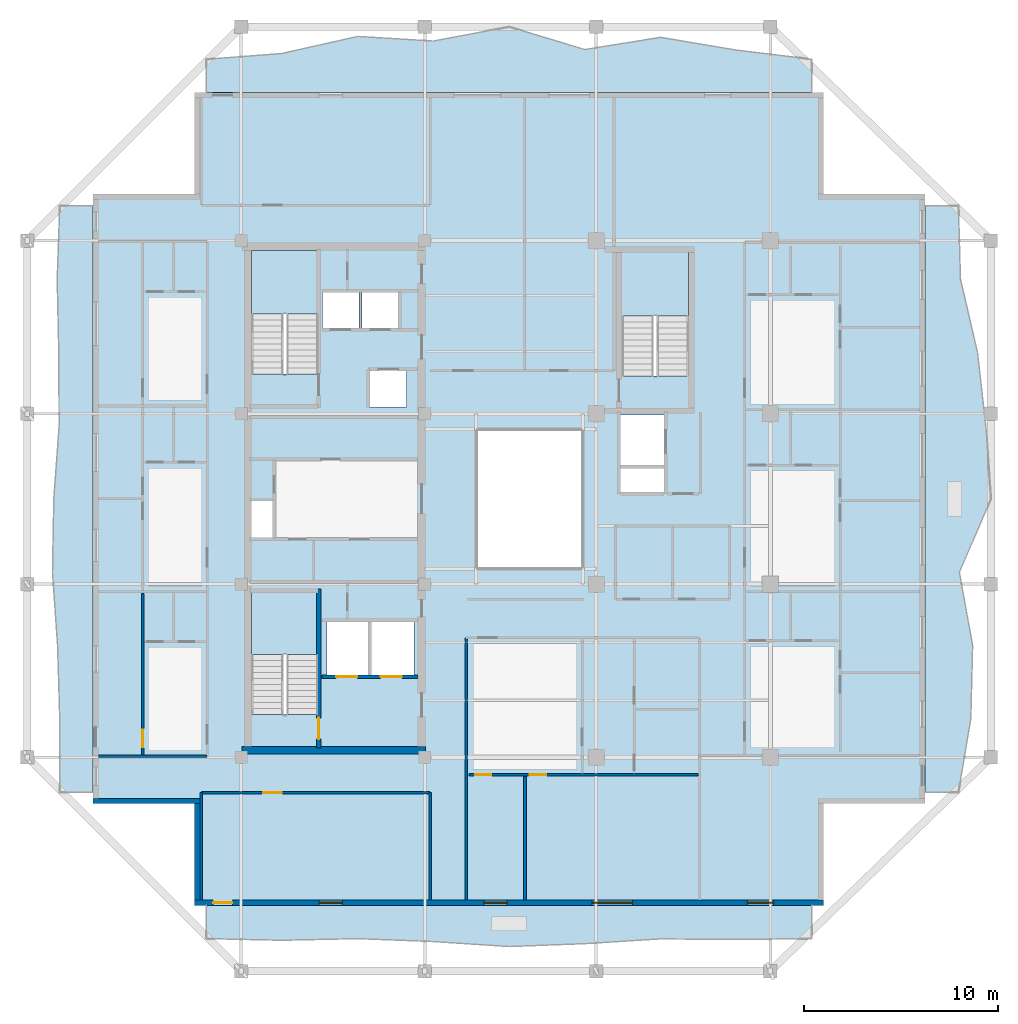
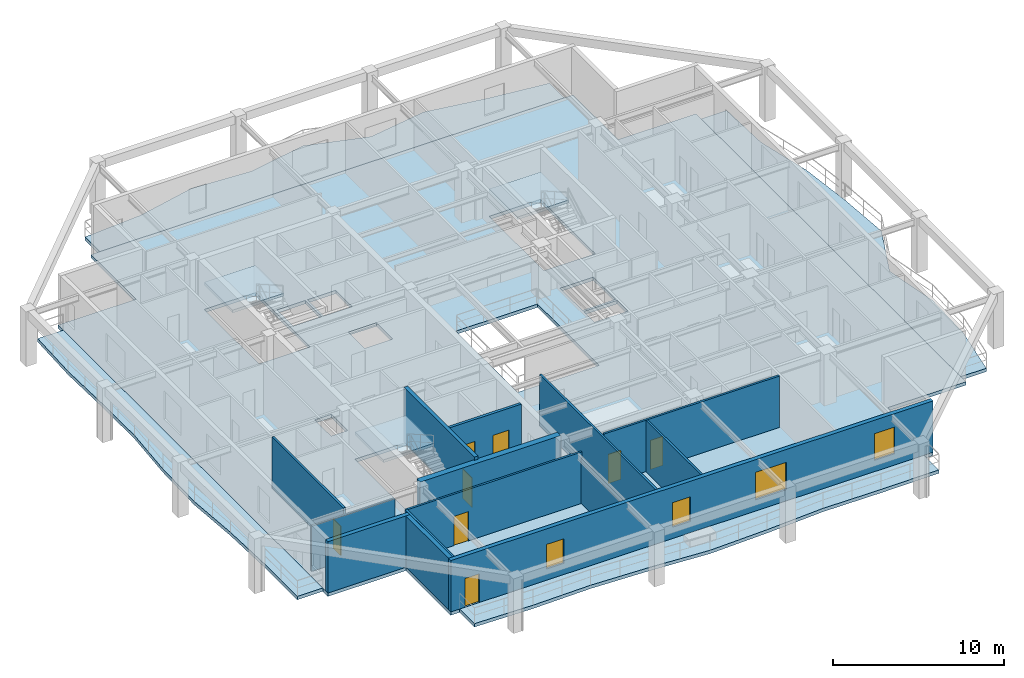
# One storey, part 2 of 13: 14 walls, 8 doors, 8 slabs, 4 windows, 12 openings, 3 elements without a shape of their own.
"""IFC4 building model written with IfcOpenShell, lengths in metres."""

from ifc_helpers import new_model, si_unit, direction, frame, frame_2d, origin, place, context, subcontext, project, spatial, polyline, rectangle, outline, extrude, material, layer, layer_set, type_object, element, fill, aggregate, save


model = new_model("IFC4")

# Units and contexts
model_context = context("Model", 3, precision=1e-05, world=origin(), true_north=direction((0.0, 1.0)))
body_context = subcontext(model_context, "Body", "Model", "MODEL_VIEW")
ifc_project = project(units=[si_unit("LENGTHUNIT", "METRE"), si_unit("AREAUNIT", "SQUARE_METRE"), si_unit("VOLUMEUNIT", "CUBIC_METRE"), si_unit("PLANEANGLEUNIT", "RADIAN"), si_unit("MASSUNIT", "GRAM", prefix="KILO")], contexts=[model_context])

# Site, building, storey
site_placement = place(None, origin())
site = spatial("IfcSite", under=ifc_project, at=site_placement, CompositionType="ELEMENT")
building_placement = place(site_placement, origin())
building = spatial("IfcBuilding", under=site, at=building_placement, Name="Kundavana Baori Tower", CompositionType="ELEMENT")
storey_placement = place(building_placement, frame((0.0, 0.0, 229.699951171875)))
storey = spatial("IfcBuildingStorey", under=building, at=storey_placement, Name="L56", CompositionType="ELEMENT", Elevation=229.699951171875)

# Slab
ifc_material_1 = material(Name="Concrete C40/50", Category="concrete")
ifc_layer_1 = layer(ifc_material_1, 0.239990234375, Name="SLB-FLR-240")
ifc_layer_set_1 = layer_set([ifc_layer_1], Name="Concrete C40/50")
slab_type_1 = type_object("IfcSlabType", Name="SLB-FLR-240", PredefinedType="FLOOR", material=ifc_layer_set_1)
slab_1_placement = place(storey_placement, frame((0.0, 0.0, -0.239990234375)))
element("IfcSlab", 1, at=slab_1_placement, inside=storey, type_object=slab_type_1, Name="L56 Structural Floor Slab", PredefinedType="FLOOR", context=body_context, shape_type="SweptSolid", body=[
    extrude(outline(polyline([(13.050048828125, 7.60009765625), (45.550048828125, 7.60009765625), (45.550048828125, 12.85009765625), (50.800048828125, 12.85009765625), (50.800048828125, 44.35009765625), (45.550048828125, 44.35009765625), (45.550048828125, 49.60009765625), (13.050048828125, 49.60009765625), (13.050048828125, 44.35009765625), (7.800048828125, 44.35009765625), (7.800048828125, 12.85009765625), (13.050048828125, 12.85009765625), (13.050048828125, 7.60009765625)]), holes=[polyline([(19.43994140625, 17.4619140625), (19.43994140625, 23.85009765625), (15.97998046875, 23.85009765625), (15.97998046875, 17.4619140625), (19.43994140625, 17.4619140625)]), polyline([(19.43994140625, 35.06201171875), (19.43994140625, 41.449951171875), (15.97998046875, 41.449951171875), (15.97998046875, 35.06201171875), (19.43994140625, 35.06201171875)]), polyline([(38.580078125, 34.9619140625), (38.580078125, 41.35009765625), (35.1201171875, 41.35009765625), (35.1201171875, 34.9619140625), (38.580078125, 34.9619140625)]), polyline([(19.64990234375, 37.39990234375), (21.550048828125, 37.39990234375), (21.550048828125, 39.300048828125), (19.64990234375, 39.300048828125), (19.64990234375, 37.39990234375)]), polyline([(21.699951171875, 37.39990234375), (23.60009765625, 37.39990234375), (23.60009765625, 39.300048828125), (21.699951171875, 39.300048828125), (21.699951171875, 37.39990234375)]), polyline([(22.10009765625, 33.35009765625), (24.0, 33.35009765625), (24.0, 35.25), (22.10009765625, 35.25), (22.10009765625, 33.35009765625)]), polyline([(19.8798828125, 19.5), (22.02001953125, 19.5), (22.02001953125, 22.25), (19.8798828125, 22.25), (19.8798828125, 19.5)]), polyline([(22.179931640625, 19.5), (24.3798828125, 19.5), (24.3798828125, 22.25), (22.179931640625, 22.25), (22.179931640625, 19.5)]), polyline([(35.050048828125, 30.35009765625), (37.300048828125, 30.35009765625), (37.300048828125, 32.949951171875), (35.050048828125, 32.949951171875), (35.050048828125, 30.35009765625)]), polyline([(15.949951171875, 26.60009765625), (17.080078125, 26.60009765625), (17.080078125, 28.5), (15.949951171875, 28.5), (15.949951171875, 26.60009765625)]), polyline([(35.050048828125, 28.949951171875), (37.300048828125, 28.949951171875), (37.300048828125, 30.199951171875), (35.050048828125, 30.199951171875), (35.050048828125, 28.949951171875)]), polyline([(27.60009765625, 25.0), (33.10009765625, 25.0), (33.10009765625, 32.199951171875), (27.60009765625, 32.199951171875), (27.60009765625, 25.0)])]), origin(), (0.0, 0.0, 1.0), 0.239990234375),
])

# Stair, slab
ifc_material_2 = material(Name="Concrete C40/50", Category="concrete")
stair_type = type_object("IfcStairType", Name="STR-DOG-1650", PredefinedType="HALF_TURN_STAIR", material=ifc_material_2)
stair_1_placement = place(storey_placement, origin())
stair_1 = element("IfcStair", 2, at=stair_1_placement, inside=storey, type_object=stair_type, Name="L56 Protected Exit Stair ST1", PredefinedType="HALF_TURN_STAIR")
ifc_material_3 = material(Name="Concrete C40/50", Category="concrete")
ifc_layer_2 = layer(ifc_material_3, 0.199951171875, Name="SLB-LND-200")
ifc_layer_set_2 = layer_set([ifc_layer_2], Name="Concrete C40/50")
slab_type_2 = type_object("IfcSlabType", Name="SLB-LND-200", PredefinedType="LANDING", material=ifc_layer_set_2)
slab_2_placement = place(storey_placement, frame((0.0, 0.0, 1.75)))
slab_2 = element("IfcSlab", 3, at=slab_2_placement, type_object=slab_type_2, Name="ST1 landing 1", PredefinedType="LANDING", context=body_context, shape_type="SweptSolid", body=[
    extrude(outline(polyline([(19.43994140625, 20.550048828125), (19.43994140625, 23.85009765625), (15.97998046875, 23.85009765625), (15.97998046875, 20.550048828125), (19.43994140625, 20.550048828125)])), origin(), (0.0, 0.0, 1.0), 0.199951171875),
])
aggregate(stair_1, [slab_2])

stair_2_placement = place(storey_placement, origin())
stair_2 = element("IfcStair", 4, at=stair_2_placement, inside=storey, type_object=stair_type, Name="L56 Protected Exit Stair ST2", PredefinedType="HALF_TURN_STAIR")
slab_3_placement = place(storey_placement, frame((0.0, 0.0, 1.75)))
slab_3 = element("IfcSlab", 5, at=slab_3_placement, type_object=slab_type_2, Name="ST2 landing 1", PredefinedType="LANDING", context=body_context, shape_type="SweptSolid", body=[
    extrude(outline(polyline([(19.43994140625, 38.14990234375), (19.43994140625, 41.449951171875), (15.97998046875, 41.449951171875), (15.97998046875, 38.14990234375), (19.43994140625, 38.14990234375)])), origin(), (0.0, 0.0, 1.0), 0.199951171875),
])
aggregate(stair_2, [slab_3])

stair_3_placement = place(storey_placement, origin())
stair_3 = element("IfcStair", 6, at=stair_3_placement, inside=storey, type_object=stair_type, Name="L56 Protected Exit Stair ST3", PredefinedType="HALF_TURN_STAIR")
slab_4_placement = place(storey_placement, frame((0.0, 0.0, 1.75)))
slab_4 = element("IfcSlab", 7, at=slab_4_placement, type_object=slab_type_2, Name="ST3 landing 1", PredefinedType="LANDING", context=body_context, shape_type="SweptSolid", body=[
    extrude(outline(polyline([(38.580078125, 38.050048828125), (38.580078125, 41.35009765625), (35.1201171875, 41.35009765625), (35.1201171875, 38.050048828125), (38.580078125, 38.050048828125)])), origin(), (0.0, 0.0, 1.0), 0.199951171875),
])
aggregate(stair_3, [slab_4])

# Slabs
ifc_material_4 = material(Name="Concrete C40/50", Category="concrete")
ifc_layer_3 = layer(ifc_material_4, 0.239990234375, Name="SLB-LOG-240")
ifc_layer_set_3 = layer_set([ifc_layer_3], Name="Concrete C40/50")
slab_type_3 = type_object("IfcSlabType", Name="SLB-LOG-240", PredefinedType="FLOOR", material=ifc_layer_set_3)
slab_5_placement = place(storey_placement, frame((0.0, 0.0, -0.239990234375)))
element("IfcSlab", 8, at=slab_5_placement, inside=storey, type_object=slab_type_3, Name="L56 Planted Loggia Balcony Slab S", PredefinedType="FLOOR", context=body_context, shape_type="SweptSolid", body=[
    extrude(outline(polyline([(13.64990234375, 7.60009765625), (44.949951171875, 7.60009765625), (44.949951171875, 5.8798828125), (41.0380859375, 5.837890625), (37.125, 5.865966796875), (33.212890625, 5.617919921875), (29.300048828125, 5.468994140625), (25.387939453125, 5.72705078125), (21.47509765625, 5.8779296875), (17.56201171875, 5.7939453125), (13.64990234375, 5.8798828125), (13.64990234375, 7.60009765625)])), origin(), (0.0, 0.0, 1.0), 0.239990234375),
])
slab_6_placement = place(storey_placement, frame((0.0, 0.0, -0.239990234375)))
element("IfcSlab", 9, at=slab_6_placement, inside=storey, type_object=slab_type_3, Name="L56 Planted Loggia Balcony Slab E", PredefinedType="FLOOR", context=body_context, shape_type="SweptSolid", body=[
    extrude(outline(polyline([(50.800048828125, 13.449951171875), (50.800048828125, 43.75), (52.52001953125, 43.75), (52.6259765625, 39.9619140625), (53.5048828125, 36.175048828125), (53.93701171875, 32.387939453125), (54.199951171875, 28.60009765625), (52.570068359375, 24.81201171875), (53.2548828125, 21.02490234375), (53.160888671875, 17.238037109375), (52.52001953125, 13.449951171875), (50.800048828125, 13.449951171875)])), origin(), (0.0, 0.0, 1.0), 0.239990234375),
])
slab_7_placement = place(storey_placement, frame((0.0, 0.0, -0.239990234375)))
element("IfcSlab", 10, at=slab_7_placement, inside=storey, type_object=slab_type_3, Name="L56 Planted Loggia Balcony Slab N", PredefinedType="FLOOR", context=body_context, shape_type="SweptSolid", body=[
    extrude(outline(polyline([(44.949951171875, 49.60009765625), (13.64990234375, 49.60009765625), (13.64990234375, 51.320068359375), (17.56201171875, 51.617919921875), (21.47509765625, 52.501953125), (25.387939453125, 52.261962890625), (29.300048828125, 53.0), (33.212890625, 51.822998046875), (37.125, 52.4541015625), (41.0380859375, 51.7958984375), (44.949951171875, 51.320068359375), (44.949951171875, 49.60009765625)])), origin(), (0.0, 0.0, 1.0), 0.239990234375),
])
slab_8_placement = place(storey_placement, frame((0.0, 0.0, -0.239990234375)))
element("IfcSlab", 11, at=slab_8_placement, inside=storey, type_object=slab_type_3, Name="L56 Planted Loggia Balcony Slab W", PredefinedType="FLOOR", context=body_context, shape_type="SweptSolid", body=[
    extrude(outline(polyline([(7.800048828125, 43.75), (7.800048828125, 13.449951171875), (6.080078125, 13.449951171875), (6.0791015625, 17.238037109375), (5.967041015625, 21.02490234375), (5.7041015625, 24.81201171875), (5.77294921875, 28.60009765625), (6.0458984375, 32.387939453125), (6.029052734375, 36.175048828125), (5.946044921875, 39.9619140625), (6.080078125, 43.75), (7.800048828125, 43.75)])), origin(), (0.0, 0.0, 1.0), 0.239990234375),
])

# Wall
ifc_material_5 = material(Name="Concrete C50/60", Category="concrete")
ifc_layer_4 = layer(ifc_material_5, 0.39990234375, Name="WL-CORE-400")
ifc_layer_set_4 = layer_set([ifc_layer_4], Name="Concrete C50/60")
wall_type_1 = type_object("IfcWallType", Name="WL-CORE-400", PredefinedType="SHEAR", material=ifc_layer_set_4)
wall_1_placement = place(storey_placement, frame((15.5, 15.610107421875, 0.0), z_axis=(0.0, 0.0, 1.0), x_axis=(1.0, 0.0, 0.0)))
element("IfcWall", 12, at=wall_1_placement, inside=storey, type_object=wall_type_1, Name="L56 Offset Core South Shear Wall", PredefinedType="SHEAR", context=body_context, shape_type="SweptSolid", body=[
    extrude(rectangle(XDim=9.47998046875, YDim=0.39990234375, at=frame_2d((4.739990234375, 0.0))), origin(), (0.0, 0.0, 1.0), 3.66015625),
])

# Wall, opening, door
wall_2_placement = place(storey_placement, frame((19.4599609375, 15.739990234375, 0.0), z_axis=(0.0, 0.0, 1.0), x_axis=(0.0, 1.0, 0.0)))
wall_2 = element("IfcWall", 13, at=wall_2_placement, inside=storey, type_object=wall_type_1, Name="WL-L56-ST1-E", PredefinedType="SHEAR", context=body_context, shape_type="SweptSolid", body=[
    extrude(rectangle(XDim=8.199951171875, YDim=0.239990234375, at=frame_2d((4.10009765625, 0.0))), origin(), (0.0, 0.0, 1.0), 3.900146484375),
])
opening_1_placement = place(wall_2_placement, frame((0.449951171875, 0.0, 0.0)))
opening_1 = element("IfcOpeningElement", 14, at=opening_1_placement, cuts=wall_2, Name="Opening FD-110", PredefinedType="OPENING", context=body_context, shape_type="SweptSolid", body=[
    extrude(rectangle(XDim=1.10009765625, YDim=2.10009765625, at=frame_2d((0.550048828125, 1.050048828125))), frame((0.0, 0.1298828125, 0.0), z_axis=(0.0, -1.0, 0.0), x_axis=(1.0, 0.0, 0.0)), (0.0, 0.0, 1.0), 0.260009765625),
])
ifc_material_6 = material(Name="Galvanised Steel Fire-Rated Door Leaf", Category="steel")
door_type_1 = type_object("IfcDoorType", Name="DR-FD120-1100", OperationType="NOTDEFINED", PredefinedType="DOOR", material=ifc_material_6)
door_1_placement = place(opening_1_placement, origin())
door_1 = element("IfcDoor", 15, at=door_1_placement, inside=storey, type_object=door_type_1, Name="DR-L56-ST1", OperationType="SINGLE_SWING_LEFT", OverallHeight=2.10009765625, OverallWidth=1.10009765625, PredefinedType="DOOR", context=body_context, shape_type="SweptSolid", body=[
    extrude(rectangle(XDim=1.10009765625, YDim=2.10009765625, at=frame_2d((0.550048828125, 1.050048828125))), frame((0.0, 0.02490234375, 0.0), z_axis=(0.0, -1.0, 0.0), x_axis=(1.0, 0.0, 0.0)), (0.0, 0.0, 1.0), 0.050048828125),
])
fill(opening_1, door_1)

# Wall, openings, door, windows
ifc_material_7 = material(Name="Red-Buff Dholpur Sandstone Cladding on Concrete C40/50", Category="masonry")
ifc_layer_5 = layer(ifc_material_7, 0.280029296875, Name="WL-EXT-SAND-280")
ifc_layer_set_5 = layer_set([ifc_layer_5], Name="Red-Buff Dholpur Sandstone Cladding on Concrete C40/50")
wall_type_2 = type_object("IfcWallType", Name="WL-EXT-SAND-280", PredefinedType="STANDARD", material=ifc_layer_set_5)
wall_3_placement = place(storey_placement, frame((13.050048828125, 7.739990234375, 0.0), z_axis=(0.0, 0.0, 1.0), x_axis=(1.0, 0.0, 0.0)))
wall_3 = element("IfcWall", 16, at=wall_3_placement, inside=storey, type_object=wall_type_2, Name="L56 Exterior Insulated Facade Wall 01", PredefinedType="STANDARD", context=body_context, shape_type="SweptSolid", body=[
    extrude(rectangle(XDim=32.5, YDim=0.280029296875, at=frame_2d((16.25, 0.0))), origin(), (0.0, 0.0, 1.0), 3.66015625),
])
opening_2_placement = place(wall_3_placement, frame((0.949951171875, 0.0, 0.0)))
opening_2 = element("IfcOpeningElement", 17, at=opening_2_placement, cuts=wall_3, Name="Opening BD-1", PredefinedType="OPENING", context=body_context, shape_type="SweptSolid", body=[
    extrude(rectangle(XDim=1.0, YDim=2.050048828125, at=frame_2d((0.5, 1.02490234375))), frame((0.0, 0.14990234375, 0.0), z_axis=(0.0, -1.0, 0.0), x_axis=(1.0, 0.0, 0.0)), (0.0, 0.0, 1.0), 0.300048828125),
])
opening_3_placement = place(wall_3_placement, frame((6.43505859375, 0.0, 0.800048828125)))
opening_3 = element("IfcOpeningElement", 18, at=opening_3_placement, cuts=wall_3, Name="Opening W-03", PredefinedType="OPENING", context=body_context, shape_type="SweptSolid", body=[
    extrude(rectangle(XDim=1.199951171875, YDim=1.75, at=frame_2d((0.60009765625, 0.875))), frame((0.0, 0.14990234375, 0.0), z_axis=(0.0, -1.0, 0.0), x_axis=(1.0, 0.0, 0.0)), (0.0, 0.0, 1.0), 0.300048828125),
])
opening_4_placement = place(wall_3_placement, frame((14.951904296875, 0.0, 0.800048828125)))
opening_4 = element("IfcOpeningElement", 19, at=opening_4_placement, cuts=wall_3, Name="Opening W-03", PredefinedType="OPENING", context=body_context, shape_type="SweptSolid", body=[
    extrude(rectangle(XDim=1.199951171875, YDim=1.75, at=frame_2d((0.60009765625, 0.875))), frame((0.0, 0.14990234375, 0.0), z_axis=(0.0, -1.0, 0.0), x_axis=(1.0, 0.0, 0.0)), (0.0, 0.0, 1.0), 0.300048828125),
])
opening_5_placement = place(wall_3_placement, frame((20.5380859375, 0.0, 0.800048828125)))
opening_5 = element("IfcOpeningElement", 20, at=opening_5_placement, cuts=wall_3, Name="Opening W-05", PredefinedType="OPENING", context=body_context, shape_type="SweptSolid", body=[
    extrude(rectangle(XDim=2.10009765625, YDim=1.949951171875, at=frame_2d((1.050048828125, 0.97509765625))), frame((0.0, 0.14990234375, 0.0), z_axis=(0.0, -1.0, 0.0), x_axis=(1.0, 0.0, 0.0)), (0.0, 0.0, 1.0), 0.300048828125),
])
opening_6_placement = place(wall_3_placement, frame((28.570068359375, 0.0, 0.800048828125)))
opening_6 = element("IfcOpeningElement", 21, at=opening_6_placement, cuts=wall_3, Name="Opening W-07", PredefinedType="OPENING", context=body_context, shape_type="SweptSolid", body=[
    extrude(rectangle(XDim=1.35009765625, YDim=1.89990234375, at=frame_2d((0.675048828125, 0.949951171875))), frame((0.0, 0.14990234375, 0.0), z_axis=(0.0, -1.0, 0.0), x_axis=(1.0, 0.0, 0.0)), (0.0, 0.0, 1.0), 0.300048828125),
])
ifc_material_8 = material(Name="Architectural Patinated Bronze Metalwork")
door_type_2 = type_object("IfcDoorType", Name="DR-EXT-LOG-1000", OperationType="NOTDEFINED", PredefinedType="DOOR", material=ifc_material_8)
door_2_placement = place(opening_2_placement, frame((1.0, 0.0, 0.0), z_axis=(0.0, 0.0, 1.0), x_axis=(-1.0, 0.0, 0.0)))
door_2 = element("IfcDoor", 22, at=door_2_placement, inside=storey, type_object=door_type_2, Name="L56 Loggia Balcony Access Door S", OperationType="SINGLE_SWING_LEFT", OverallHeight=2.050048828125, OverallWidth=1.0, PredefinedType="DOOR", context=body_context, shape_type="SweptSolid", body=[
    extrude(rectangle(XDim=1.0, YDim=2.050048828125, at=frame_2d((0.5, 1.02490234375))), frame((0.0, 0.02490234375, 0.0), z_axis=(0.0, -1.0, 0.0), x_axis=(1.0, 0.0, 0.0)), (0.0, 0.0, 1.0), 0.050048828125),
])
fill(opening_2, door_2)
ifc_material_9 = material(Name="Double-Glazed Solar-Control Low-E Insulated Glass", Category="glass")
window_type_1 = type_object("IfcWindowType", Name="WIN-LOG-1200x1750", PartitioningType="SINGLE_PANEL", PredefinedType="WINDOW", material=ifc_material_9)
window_1_placement = place(opening_3_placement, origin())
window_1 = element("IfcWindow", 23, at=window_1_placement, inside=storey, type_object=window_type_1, Name="L56 Recessed Loggia Window S-1", OverallHeight=1.75, OverallWidth=1.199951171875, PartitioningType="SINGLE_PANEL", PredefinedType="WINDOW", context=body_context, shape_type="SweptSolid", body=[
    extrude(rectangle(XDim=1.199951171875, YDim=1.75, at=frame_2d((0.60009765625, 0.875))), frame((0.0, 0.030029296875, 0.0), z_axis=(0.0, -1.0, 0.0), x_axis=(1.0, 0.0, 0.0)), (0.0, 0.0, 1.0), 0.06005859375),
])
fill(opening_3, window_1)
window_2_placement = place(opening_4_placement, origin())
window_2 = element("IfcWindow", 24, at=window_2_placement, inside=storey, type_object=window_type_1, Name="L56 Recessed Loggia Window S-2", OverallHeight=1.75, OverallWidth=1.199951171875, PartitioningType="SINGLE_PANEL", PredefinedType="WINDOW", context=body_context, shape_type="SweptSolid", body=[
    extrude(rectangle(XDim=1.199951171875, YDim=1.75, at=frame_2d((0.60009765625, 0.875))), frame((0.0, 0.030029296875, 0.0), z_axis=(0.0, -1.0, 0.0), x_axis=(1.0, 0.0, 0.0)), (0.0, 0.0, 1.0), 0.06005859375),
])
fill(opening_4, window_2)
ifc_material_10 = material(Name="Double-Glazed Solar-Control Low-E Insulated Glass", Category="glass")
window_type_2 = type_object("IfcWindowType", Name="WIN-LOG-1350x1900", PartitioningType="SINGLE_PANEL", PredefinedType="WINDOW", material=ifc_material_10)
window_3_placement = place(opening_6_placement, origin())
window_3 = element("IfcWindow", 25, at=window_3_placement, inside=storey, type_object=window_type_2, Name="L56 Recessed Loggia Window S-4", OverallHeight=1.89990234375, OverallWidth=1.35009765625, PartitioningType="SINGLE_PANEL", PredefinedType="WINDOW", context=body_context, shape_type="SweptSolid", body=[
    extrude(rectangle(XDim=1.35009765625, YDim=1.89990234375, at=frame_2d((0.675048828125, 0.949951171875))), frame((0.0, 0.030029296875, 0.0), z_axis=(0.0, -1.0, 0.0), x_axis=(1.0, 0.0, 0.0)), (0.0, 0.0, 1.0), 0.06005859375),
])
fill(opening_6, window_3)
ifc_material_11 = material(Name="Double-Glazed Solar-Control Low-E Insulated Glass", Category="glass")
window_type_3 = type_object("IfcWindowType", Name="WIN-LOG-2100x1950", PartitioningType="SINGLE_PANEL", PredefinedType="WINDOW", material=ifc_material_11)
window_4_placement = place(opening_5_placement, origin())
window_4 = element("IfcWindow", 26, at=window_4_placement, inside=storey, type_object=window_type_3, Name="L56 Recessed Loggia Window S-3", OverallHeight=1.949951171875, OverallWidth=2.10009765625, PartitioningType="SINGLE_PANEL", PredefinedType="WINDOW", context=body_context, shape_type="SweptSolid", body=[
    extrude(rectangle(XDim=2.10009765625, YDim=1.949951171875, at=frame_2d((1.050048828125, 0.97509765625))), frame((0.0, 0.030029296875, 0.0), z_axis=(0.0, -1.0, 0.0), x_axis=(1.0, 0.0, 0.0)), (0.0, 0.0, 1.0), 0.06005859375),
])
fill(opening_5, window_4)

# Walls
wall_4_placement = place(storey_placement, frame((7.800048828125, 12.989990234375, 0.0), z_axis=(0.0, 0.0, 1.0), x_axis=(1.0, 0.0, 0.0)))
element("IfcWall", 27, at=wall_4_placement, inside=storey, type_object=wall_type_2, Name="L56 Exterior Insulated Facade Wall 11", PredefinedType="STANDARD", context=body_context, shape_type="SweptSolid", body=[
    extrude(rectangle(XDim=5.530029296875, YDim=0.280029296875, at=frame_2d((2.76513671875, 0.0))), origin(), (0.0, 0.0, 1.0), 3.66015625),
])
wall_5_placement = place(storey_placement, frame((13.18994140625, 12.85009765625, 0.0), z_axis=(0.0, 0.0, 1.0), x_axis=(0.0, -1.0, 0.0)))
element("IfcWall", 28, at=wall_5_placement, inside=storey, type_object=wall_type_2, Name="L56 Exterior Insulated Facade Wall 12", PredefinedType="STANDARD", context=body_context, shape_type="SweptSolid", body=[
    extrude(rectangle(XDim=4.97021484375, YDim=0.280029296875, at=frame_2d((2.485107421875, 0.0))), origin(), (0.0, 0.0, 1.0), 3.66015625),
])
ifc_material_12 = material(Name="Acoustic Gypsum Plasterboard on Galvanised Steel Studs", Category="steel")
ifc_layer_6 = layer(ifc_material_12, 0.135009765625, Name="WL-PART-135")
ifc_layer_set_6 = layer_set([ifc_layer_6], Name="Acoustic Gypsum Plasterboard on Galvanised Steel Studs")
wall_type_3 = type_object("IfcWallType", Name="WL-PART-135", PredefinedType="PARTITIONING", material=ifc_layer_set_6)
wall_6_placement = place(storey_placement, frame((27.080078125, 7.8798828125, 0.0), z_axis=(0.0, 0.0, 1.0), x_axis=(0.0, 1.0, 0.0)))
element("IfcWall", 29, at=wall_6_placement, inside=storey, type_object=wall_type_3, Name="WL-L56-RSW", PredefinedType="PARTITIONING", context=body_context, shape_type="SweptSolid", body=[
    extrude(rectangle(XDim=13.5400390625, YDim=0.135009765625, at=frame_2d((6.77001953125, 0.0))), origin(), (0.0, 0.0, 1.0), 3.66015625),
])

# Wall, opening, door
wall_7_placement = place(storey_placement, frame((13.39990234375, 13.419921875, 0.0), z_axis=(0.0, 0.0, 1.0), x_axis=(1.0, 0.0, 0.0)))
wall_7 = element("IfcWall", 30, at=wall_7_placement, inside=storey, type_object=wall_type_3, Name="WL-L56-RSC", PredefinedType="PARTITIONING", context=body_context, shape_type="SweptSolid", body=[
    extrude(rectangle(XDim=11.820068359375, YDim=0.135009765625, at=frame_2d((5.91015625, 0.0))), origin(), (0.0, 0.0, 1.0), 3.66015625),
])
opening_7_placement = place(wall_7_placement, frame((3.199951171875, 0.0, 0.0)))
opening_7 = element("IfcOpeningElement", 31, at=opening_7_placement, cuts=wall_7, Name="Opening ID-095", PredefinedType="OPENING", context=body_context, shape_type="SweptSolid", body=[
    extrude(rectangle(XDim=0.949951171875, YDim=2.080078125, at=frame_2d((0.47509765625, 1.0400390625))), frame((0.0, 0.07763671875, 0.0), z_axis=(0.0, -1.0, 0.0), x_axis=(1.0, 0.0, 0.0)), (0.0, 0.0, 1.0), 0.155029296875),
])
ifc_material_13 = material(Name="Engineered Teak Solid-Core Timber Veneer", Category="wood")
door_type_3 = type_object("IfcDoorType", Name="DR-INT-950", OperationType="NOTDEFINED", PredefinedType="DOOR", material=ifc_material_13)
door_3_placement = place(opening_7_placement, frame((0.949951171875, 0.0, 0.0), z_axis=(0.0, 0.0, 1.0), x_axis=(-1.0, 0.0, 0.0)))
door_3 = element("IfcDoor", 32, at=door_3_placement, inside=storey, type_object=door_type_3, Name="DR-L56-RMSW", OperationType="SINGLE_SWING_LEFT", OverallHeight=2.080078125, OverallWidth=0.949951171875, PredefinedType="DOOR", context=body_context, shape_type="SweptSolid", body=[
    extrude(rectangle(XDim=0.949951171875, YDim=2.080078125, at=frame_2d((0.47509765625, 1.0400390625))), frame((0.0, 0.02490234375, 0.0), z_axis=(0.0, -1.0, 0.0), x_axis=(1.0, 0.0, 0.0)), (0.0, 0.0, 1.0), 0.050048828125),
])
fill(opening_7, door_3)

# Walls
wall_8_placement = place(storey_placement, frame((13.39990234375, 7.8798828125, 0.0), z_axis=(0.0, 0.0, 1.0), x_axis=(0.0, 1.0, 0.0)))
element("IfcWall", 33, at=wall_8_placement, inside=storey, type_object=wall_type_3, Name="WL-L56-RSCW", PredefinedType="PARTITIONING", context=body_context, shape_type="SweptSolid", body=[
    extrude(rectangle(XDim=5.5400390625, YDim=0.135009765625, at=frame_2d((2.77001953125, 0.0))), origin(), (0.0, 0.0, 1.0), 3.66015625),
])
wall_9_placement = place(storey_placement, frame((25.219970703125, 7.8798828125, 0.0), z_axis=(0.0, 0.0, 1.0), x_axis=(0.0, 1.0, 0.0)))
element("IfcWall", 34, at=wall_9_placement, inside=storey, type_object=wall_type_3, Name="WL-L56-RSCE", PredefinedType="PARTITIONING", context=body_context, shape_type="SweptSolid", body=[
    extrude(rectangle(XDim=5.5400390625, YDim=0.135009765625, at=frame_2d((2.77001953125, 0.0))), origin(), (0.0, 0.0, 1.0), 3.2099609375),
])
wall_10_placement = place(storey_placement, frame((8.080078125, 15.300048828125, 0.0), z_axis=(0.0, 0.0, 1.0), x_axis=(1.0, 0.0, 0.0)))
element("IfcWall", 35, at=wall_10_placement, inside=storey, type_object=wall_type_3, Name="WL-L56-RWS", PredefinedType="PARTITIONING", context=body_context, shape_type="SweptSolid", body=[
    extrude(rectangle(XDim=5.619873046875, YDim=0.135009765625, at=frame_2d((2.81005859375, 0.0))), origin(), (0.0, 0.0, 1.0), 3.2099609375),
])

# Wall, opening, door
wall_11_placement = place(storey_placement, frame((10.3701171875, 15.3798828125, 0.0), z_axis=(0.0, 0.0, 1.0), x_axis=(0.0, 1.0, 0.0)))
wall_11 = element("IfcWall", 36, at=wall_11_placement, inside=storey, type_object=wall_type_3, Name="WL-L56-W1-VT", PredefinedType="PARTITIONING", context=body_context, shape_type="SweptSolid", body=[
    extrude(rectangle(XDim=8.340087890625, YDim=0.135009765625, at=frame_2d((4.169921875, 0.0))), origin(), (0.0, 0.0, 1.0), 3.66015625),
])
opening_8_placement = place(wall_11_placement, frame((0.39990234375, 0.0, 0.0)))
opening_8 = element("IfcOpeningElement", 37, at=opening_8_placement, cuts=wall_11, Name="Opening ID-090", PredefinedType="OPENING", context=body_context, shape_type="SweptSolid", body=[
    extrude(rectangle(XDim=0.89990234375, YDim=2.080078125, at=frame_2d((0.449951171875, 1.0400390625))), frame((0.0, 0.07763671875, 0.0), z_axis=(0.0, -1.0, 0.0), x_axis=(1.0, 0.0, 0.0)), (0.0, 0.0, 1.0), 0.155029296875),
])
ifc_material_14 = material(Name="Engineered Teak Solid-Core Timber Veneer", Category="wood")
door_type_4 = type_object("IfcDoorType", Name="DR-INT-900", OperationType="NOTDEFINED", PredefinedType="DOOR", material=ifc_material_14)
door_4_placement = place(opening_8_placement, frame((0.89990234375, 0.0, 0.0), z_axis=(0.0, 0.0, 1.0), x_axis=(-1.0, 0.0, 0.0)))
door_4 = element("IfcDoor", 38, at=door_4_placement, inside=storey, type_object=door_type_4, Name="DR-L56-W1-B1", OperationType="SINGLE_SWING_LEFT", OverallHeight=2.080078125, OverallWidth=0.89990234375, PredefinedType="DOOR", context=body_context, shape_type="SweptSolid", body=[
    extrude(rectangle(XDim=0.89990234375, YDim=2.080078125, at=frame_2d((0.449951171875, 1.0400390625))), frame((0.0, 0.02490234375, 0.0), z_axis=(0.0, -1.0, 0.0), x_axis=(1.0, 0.0, 0.0)), (0.0, 0.0, 1.0), 0.050048828125),
])
fill(opening_8, door_4)

# Wall, openings, doors
wall_12_placement = place(storey_placement, frame((27.239990234375, 14.341064453125, 0.0), z_axis=(0.0, 0.0, 1.0), x_axis=(1.0, 0.0, 0.0)))
wall_12 = element("IfcWall", 39, at=wall_12_placement, inside=storey, type_object=wall_type_3, Name="WL-L56-S1-HZ", PredefinedType="PARTITIONING", context=body_context, shape_type="SweptSolid", body=[
    extrude(rectangle(XDim=11.830078125, YDim=0.135009765625, at=frame_2d((5.9150390625, 0.0))), origin(), (0.0, 0.0, 1.0), 3.66015625),
])
opening_9_placement = place(wall_12_placement, frame((0.300048828125, 0.0, 0.0)))
opening_9 = element("IfcOpeningElement", 40, at=opening_9_placement, cuts=wall_12, Name="Opening ID-085", PredefinedType="OPENING", context=body_context, shape_type="SweptSolid", body=[
    extrude(rectangle(XDim=0.85009765625, YDim=2.080078125, at=frame_2d((0.425048828125, 1.0400390625))), frame((0.0, 0.07763671875, 0.0), z_axis=(0.0, -1.0, 0.0), x_axis=(1.0, 0.0, 0.0)), (0.0, 0.0, 1.0), 0.155029296875),
])
opening_10_placement = place(wall_12_placement, frame((3.135009765625, 0.0, 0.0)))
opening_10 = element("IfcOpeningElement", 41, at=opening_10_placement, cuts=wall_12, Name="Opening ID-085", PredefinedType="OPENING", context=body_context, shape_type="SweptSolid", body=[
    extrude(rectangle(XDim=0.85009765625, YDim=2.080078125, at=frame_2d((0.425048828125, 1.0400390625))), frame((0.0, 0.07763671875, 0.0), z_axis=(0.0, -1.0, 0.0), x_axis=(1.0, 0.0, 0.0)), (0.0, 0.0, 1.0), 0.155029296875),
])
ifc_material_15 = material(Name="Engineered Teak Solid-Core Timber Veneer", Category="wood")
door_type_5 = type_object("IfcDoorType", Name="DR-INT-850", OperationType="NOTDEFINED", PredefinedType="DOOR", material=ifc_material_15)
door_5_placement = place(opening_9_placement, frame((0.85009765625, 0.0, 0.0), z_axis=(0.0, 0.0, 1.0), x_axis=(-1.0, 0.0, 0.0)))
door_5 = element("IfcDoor", 42, at=door_5_placement, inside=storey, type_object=door_type_5, Name="DR-L56-S1-B1", OperationType="SINGLE_SWING_LEFT", OverallHeight=2.080078125, OverallWidth=0.85009765625, PredefinedType="DOOR", context=body_context, shape_type="SweptSolid", body=[
    extrude(rectangle(XDim=0.85009765625, YDim=2.080078125, at=frame_2d((0.425048828125, 1.0400390625))), frame((0.0, 0.02490234375, 0.0), z_axis=(0.0, -1.0, 0.0), x_axis=(1.0, 0.0, 0.0)), (0.0, 0.0, 1.0), 0.050048828125),
])
fill(opening_9, door_5)
door_6_placement = place(opening_10_placement, frame((0.85009765625, 0.0, 0.0), z_axis=(0.0, 0.0, 1.0), x_axis=(-1.0, 0.0, 0.0)))
door_6 = element("IfcDoor", 43, at=door_6_placement, inside=storey, type_object=door_type_5, Name="DR-L56-S1-B2", OperationType="SINGLE_SWING_RIGHT", OverallHeight=2.080078125, OverallWidth=0.85009765625, PredefinedType="DOOR", context=body_context, shape_type="SweptSolid", body=[
    extrude(rectangle(XDim=0.85009765625, YDim=2.080078125, at=frame_2d((0.425048828125, 1.0400390625))), frame((0.0, 0.02490234375, 0.0), z_axis=(0.0, -1.0, 0.0), x_axis=(1.0, 0.0, 0.0)), (0.0, 0.0, 1.0), 0.050048828125),
])
fill(opening_10, door_6)

# Wall
wall_13_placement = place(storey_placement, frame((30.125, 7.8798828125, 0.0), z_axis=(0.0, 0.0, 1.0), x_axis=(0.0, 1.0, 0.0)))
element("IfcWall", 44, at=wall_13_placement, inside=storey, type_object=wall_type_3, Name="WL-L56-S1-BDV", PredefinedType="PARTITIONING", context=body_context, shape_type="SweptSolid", body=[
    extrude(rectangle(XDim=6.381103515625, YDim=0.135009765625, at=frame_2d((3.1904296875, 0.0))), origin(), (0.0, 0.0, 1.0), 3.66015625),
])

# Wall, openings, doors
ifc_material_16 = material(Name="Autoclaved Aerated Concrete Blockwork Masonry", Category="masonry")
ifc_layer_7 = layer(ifc_material_16, 0.179931640625, Name="WL-SHAFT-180")
ifc_layer_set_7 = layer_set([ifc_layer_7], Name="Autoclaved Aerated Concrete Blockwork Masonry")
wall_type_4 = type_object("IfcWallType", Name="WL-SHAFT-180", PredefinedType="SOLIDWALL", material=ifc_layer_set_7)
wall_14_placement = place(storey_placement, frame((19.639892578125, 19.419921875, 0.0), z_axis=(0.0, 0.0, 1.0), x_axis=(1.0, 0.0, 0.0)))
wall_14 = element("IfcWall", 45, at=wall_14_placement, inside=storey, type_object=wall_type_4, Name="WL-L56-FFL-S", PredefinedType="SOLIDWALL", context=body_context, shape_type="SweptSolid", body=[
    extrude(rectangle(XDim=4.940185546875, YDim=0.179931640625, at=frame_2d((2.47021484375, 0.0))), origin(), (0.0, 0.0, 1.0), 3.66015625),
])
opening_11_placement = place(wall_14_placement, frame((0.719970703125, 0.0, 0.0)))
opening_11 = element("IfcOpeningElement", 46, at=opening_11_placement, cuts=wall_14, Name="Opening LD-110", PredefinedType="OPENING", context=body_context, shape_type="SweptSolid", body=[
    extrude(rectangle(XDim=1.10009765625, YDim=2.10009765625, at=frame_2d((0.550048828125, 1.050048828125))), frame((0.0, 0.10009765625, 0.0), z_axis=(0.0, -1.0, 0.0), x_axis=(1.0, 0.0, 0.0)), (0.0, 0.0, 1.0), 0.199951171875),
])
opening_12_placement = place(wall_14_placement, frame((3.02001953125, 0.0, 0.0)))
opening_12 = element("IfcOpeningElement", 47, at=opening_12_placement, cuts=wall_14, Name="Opening LD-110", PredefinedType="OPENING", context=body_context, shape_type="SweptSolid", body=[
    extrude(rectangle(XDim=1.10009765625, YDim=2.10009765625, at=frame_2d((0.550048828125, 1.050048828125))), frame((0.0, 0.10009765625, 0.0), z_axis=(0.0, -1.0, 0.0), x_axis=(1.0, 0.0, 0.0)), (0.0, 0.0, 1.0), 0.199951171875),
])
ifc_material_17 = material(Name="Galvanised Steel Fire-Rated Door Leaf", Category="steel")
door_type_6 = type_object("IfcDoorType", Name="DR-SLIDE-LD1100", OperationType="NOTDEFINED", PredefinedType="DOOR", material=ifc_material_17)
door_7_placement = place(opening_11_placement, origin())
door_7 = element("IfcDoor", 48, at=door_7_placement, inside=storey, type_object=door_type_6, Name="DR-L56-LD-FFL-1", OperationType="DOUBLE_DOOR_SLIDING", OverallHeight=2.10009765625, OverallWidth=1.10009765625, PredefinedType="DOOR", context=body_context, shape_type="SweptSolid", body=[
    extrude(rectangle(XDim=1.10009765625, YDim=2.10009765625, at=frame_2d((0.550048828125, 1.050048828125))), frame((0.0, 0.02490234375, 0.0), z_axis=(0.0, -1.0, 0.0), x_axis=(1.0, 0.0, 0.0)), (0.0, 0.0, 1.0), 0.050048828125),
])
fill(opening_11, door_7)
door_8_placement = place(opening_12_placement, origin())
door_8 = element("IfcDoor", 49, at=door_8_placement, inside=storey, type_object=door_type_6, Name="DR-L56-LD-FFL-2", OperationType="DOUBLE_DOOR_SLIDING", OverallHeight=2.10009765625, OverallWidth=1.10009765625, PredefinedType="DOOR", context=body_context, shape_type="SweptSolid", body=[
    extrude(rectangle(XDim=1.10009765625, YDim=2.10009765625, at=frame_2d((0.550048828125, 1.050048828125))), frame((0.0, 0.02490234375, 0.0), z_axis=(0.0, -1.0, 0.0), x_axis=(1.0, 0.0, 0.0)), (0.0, 0.0, 1.0), 0.050048828125),
])
fill(opening_12, door_8)

save(model, "model.ifc")
